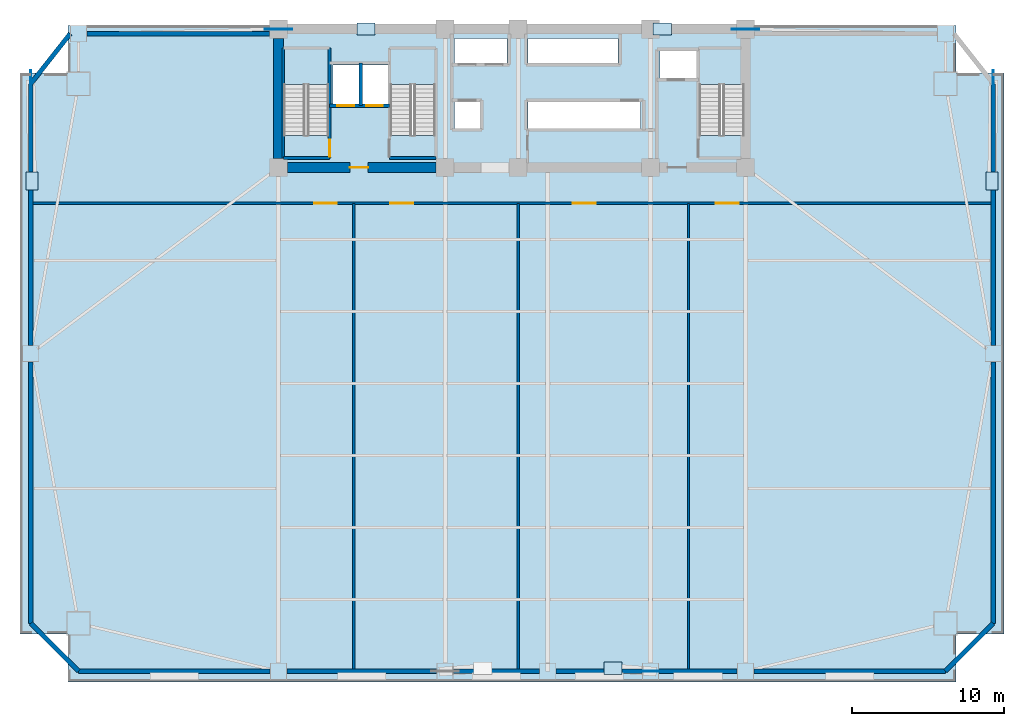
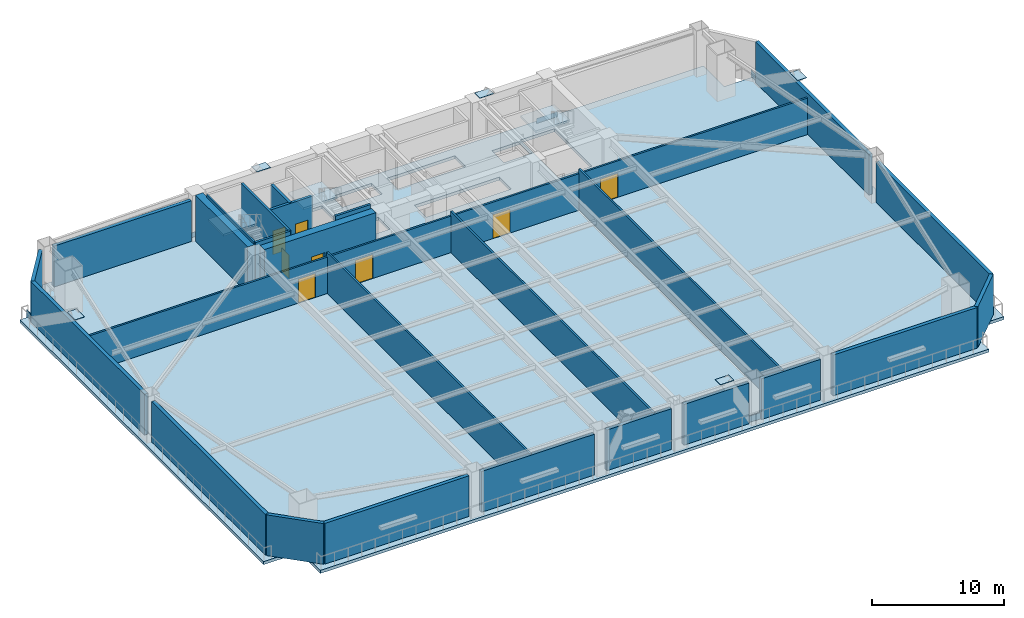
# One storey, part 2 of 9: 26 walls, 10 plates, 8 doors, 4 slabs, 8 openings, 3 elements without a shape of their own.
"""IFC4 building model written with IfcOpenShell, lengths in metres."""

from ifc_helpers import new_model, si_unit, direction, frame, frame_2d, origin, origin_2d, place, context, subcontext, project, spatial, polyline, rectangle, outline, extrude, source, transform, mapped, material, layer, layer_set, type_object, element, fill, aggregate, save


model = new_model("IFC4")

# Units and contexts
model_context = context("Model", 3, precision=1e-05, world=origin(), true_north=direction((0.0, 1.0)))
body_context = subcontext(model_context, "Body", "Model", "MODEL_VIEW")
ifc_project = project(units=[si_unit("LENGTHUNIT", "METRE"), si_unit("AREAUNIT", "SQUARE_METRE"), si_unit("VOLUMEUNIT", "CUBIC_METRE"), si_unit("PLANEANGLEUNIT", "RADIAN"), si_unit("MASSUNIT", "GRAM", prefix="KILO")], contexts=[model_context])

# Site, building, storey
site_placement = place(None, origin())
site = spatial("IfcSite", under=ifc_project, at=site_placement, CompositionType="ELEMENT")
building_placement = place(site_placement, origin())
building = spatial("IfcBuilding", under=site, at=building_placement, Name="Giltprow Tower", CompositionType="ELEMENT")
storey_placement = place(building_placement, frame((0.0, 0.0, 48.800048828125)))
storey = spatial("IfcBuildingStorey", under=building, at=storey_placement, Name="L12", CompositionType="ELEMENT", Elevation=48.800048828125)

# Slab
ifc_material_1 = material(Name="Concrete C40", Category="concrete")
ifc_layer_1 = layer(ifc_material_1, 0.280029296875, Name="Concrete C40")
ifc_layer_set_1 = layer_set([ifc_layer_1], Name="Concrete C40")
slab_type_1 = type_object("IfcSlabType", Name="SLB-REF-280", PredefinedType="FLOOR", material=ifc_layer_set_1)
slab_1_placement = place(storey_placement, frame((0.0, 0.0, -0.280029296875)))
element("IfcSlab", 1, at=slab_1_placement, inside=storey, type_object=slab_type_1, Name="L12 Structural Composite Floor Slab", PredefinedType="FLOOR", context=body_context, shape_type="SweptSolid", body=[
    extrude(outline(polyline([(6.01806640625, 6.802001953125), (2.8701171875, 6.802001953125), (2.8701171875, 43.652099609375), (6.01806640625, 43.652099609375), (6.01806640625, 46.800048828125), (64.382080078125, 46.800048828125), (64.382080078125, 43.652099609375), (67.530029296875, 43.652099609375), (67.530029296875, 6.802001953125), (64.382080078125, 6.802001953125), (64.382080078125, 3.654052734375), (6.01806640625, 3.654052734375), (6.01806640625, 6.802001953125)]), holes=[polyline([(31.419921875, 41.800048828125), (31.419921875, 40.0), (33.10009765625, 40.0), (33.10009765625, 41.800048828125), (31.419921875, 41.800048828125)]), polyline([(43.659912109375, 41.800048828125), (36.239990234375, 41.800048828125), (36.239990234375, 40.0), (43.659912109375, 40.0), (43.659912109375, 41.800048828125)]), polyline([(23.159912109375, 45.25), (20.199951171875, 45.25), (20.199951171875, 39.570068359375), (23.159912109375, 39.570068359375), (23.159912109375, 45.25)]), polyline([(30.159912109375, 39.570068359375), (30.159912109375, 45.25), (27.199951171875, 45.25), (27.199951171875, 39.570068359375), (30.159912109375, 39.570068359375)]), polyline([(50.4599609375, 39.570068359375), (50.4599609375, 45.25), (47.5, 45.25), (47.5, 39.570068359375), (50.4599609375, 39.570068359375)]), polyline([(25.169921875, 44.199951171875), (23.449951171875, 44.199951171875), (23.449951171875, 41.60009765625), (25.169921875, 41.60009765625), (25.169921875, 44.199951171875)]), polyline([(27.10009765625, 44.199951171875), (25.35009765625, 44.199951171875), (25.35009765625, 41.60009765625), (27.10009765625, 41.60009765625), (27.10009765625, 44.199951171875)]), polyline([(47.3798828125, 45.10009765625), (44.919921875, 45.10009765625), (44.919921875, 43.300048828125), (47.3798828125, 43.300048828125), (47.3798828125, 45.10009765625)]), polyline([(34.8798828125, 44.300048828125), (34.8798828125, 45.919921875), (31.419921875, 45.919921875), (31.419921875, 44.300048828125), (34.8798828125, 44.300048828125)]), polyline([(42.169921875, 44.300048828125), (42.169921875, 45.919921875), (36.239990234375, 45.919921875), (36.239990234375, 44.300048828125), (42.169921875, 44.300048828125)])]), origin(), (0.0, 0.0, 1.0), 0.280029296875),
])

# Stair, slab
stair_type_1 = type_object("IfcStairType", Name="STR-ST-1", PredefinedType="HALF_TURN_STAIR", material=ifc_material_1)
stair_1_placement = place(storey_placement, origin())
stair_1 = element("IfcStair", 2, at=stair_1_placement, inside=storey, type_object=stair_type_1, Name="L12 Core Exit Stair ST-1", PredefinedType="HALF_TURN_STAIR")
ifc_layer_2 = layer(ifc_material_1, 0.179931640625, Name="Concrete C40")
ifc_layer_set_2 = layer_set([ifc_layer_2], Name="Concrete C40")
slab_type_2 = type_object("IfcSlabType", Name="SLD-ST-1", PredefinedType="LANDING", material=ifc_layer_set_2)
slab_2_placement = place(storey_placement, frame((0.0, 0.0, 2.070068359375)))
slab_2 = element("IfcSlab", 3, at=slab_2_placement, type_object=slab_type_2, Name="ST-1 landing 1", PredefinedType="LANDING", context=body_context, shape_type="SweptSolid", body=[
    extrude(outline(polyline([(23.159912109375, 42.909912109375), (23.159912109375, 45.25), (20.199951171875, 45.25), (20.199951171875, 42.909912109375), (23.159912109375, 42.909912109375)])), origin(), (0.0, 0.0, 1.0), 0.179931640625),
])
aggregate(stair_1, [slab_2])

stair_type_2 = type_object("IfcStairType", Name="STR-ST-2", PredefinedType="HALF_TURN_STAIR", material=ifc_material_1)
stair_2_placement = place(storey_placement, origin())
stair_2 = element("IfcStair", 4, at=stair_2_placement, inside=storey, type_object=stair_type_2, Name="L12 Core Exit Stair ST-2", PredefinedType="HALF_TURN_STAIR")
ifc_layer_3 = layer(ifc_material_1, 0.18798828125, Name="Concrete C40")
ifc_layer_set_3 = layer_set([ifc_layer_3], Name="Concrete C40")
slab_type_3 = type_object("IfcSlabType", Name="SLD-ST-2", PredefinedType="LANDING", material=ifc_layer_set_3)
slab_3_placement = place(storey_placement, frame((0.0, 0.0, 2.06201171875)))
slab_3 = element("IfcSlab", 5, at=slab_3_placement, type_object=slab_type_3, Name="ST-2 landing 1", PredefinedType="LANDING", context=body_context, shape_type="SweptSolid", body=[
    extrude(outline(polyline([(30.159912109375, 42.909912109375), (30.159912109375, 45.25), (27.199951171875, 45.25), (27.199951171875, 42.909912109375), (30.159912109375, 42.909912109375)])), origin(), (0.0, 0.0, 1.0), 0.18798828125),
])
aggregate(stair_2, [slab_3])

stair_type_3 = type_object("IfcStairType", Name="STR-ST-3", PredefinedType="HALF_TURN_STAIR", material=ifc_material_1)
stair_3_placement = place(storey_placement, origin())
stair_3 = element("IfcStair", 6, at=stair_3_placement, inside=storey, type_object=stair_type_3, Name="L12 Core Exit Stair ST-3", PredefinedType="HALF_TURN_STAIR")
ifc_layer_4 = layer(ifc_material_1, 0.196044921875, Name="Concrete C40")
ifc_layer_set_4 = layer_set([ifc_layer_4], Name="Concrete C40")
slab_type_4 = type_object("IfcSlabType", Name="SLD-ST-3", PredefinedType="LANDING", material=ifc_layer_set_4)
slab_4_placement = place(storey_placement, frame((0.0, 0.0, 2.053955078125)))
slab_4 = element("IfcSlab", 7, at=slab_4_placement, type_object=slab_type_4, Name="ST-3 landing 1", PredefinedType="LANDING", context=body_context, shape_type="SweptSolid", body=[
    extrude(outline(polyline([(50.4599609375, 42.909912109375), (50.4599609375, 45.25), (47.5, 45.25), (47.5, 42.909912109375), (50.4599609375, 42.909912109375)])), origin(), (0.0, 0.0, 1.0), 0.196044921875),
])
aggregate(stair_3, [slab_4])

# Plates
ifc_material_2 = material(Name="Structural steel Q420GJC", Category="steel")
plate_type_1 = type_object("IfcPlateType", Name="PLT-NODE-MBN1", PredefinedType="USERDEFINED", material=ifc_material_2)
shared_shape_1 = source(origin(), body_context, "Body", "SweptSolid", [
    extrude(rectangle(XDim=1.800048828125, YDim=0.050048828125, at=origin_2d()), origin(), (0.0, 0.0, 1.0), 1.14990234375),
])
for number, where, z_axis, x_axis, name in (
    (8, (44.300048828125, 4.35400390625, -0.574951171875), (0.0, 0.0, 1.0), (1.0, 0.0, 0.0), "Mega-Brace Node L12-S-RA"),
    (9, (19.85009765625, 46.550048828125, -0.715087890625), (0.0, 0.0, 1.0), (1.0, 0.0, 0.0), "Mega-Brace Node L12-N-LA"),
    (10, (50.550048828125, 46.550048828125, -0.715087890625), (0.0, 0.0, 1.0), (1.0, 0.0, 0.0), "Mega-Brace Node L12-N-RA"),
    (11, (3.570068359375, 42.951904296875, -0.574951171875), (0.0, 0.0, 1.0), (0.0, 1.0, 0.0), "Mega-Brace Node L12-W-RA"),
    (12, (66.830078125, 42.951904296875, -0.574951171875), (0.0, 0.0, 1.0), (0.0, 1.0, 0.0), "Mega-Brace Node L12-E-RA"),
):
    element("IfcPlate", number, at=place(storey_placement, frame(where, z_axis=z_axis, x_axis=x_axis)), inside=storey, type_object=plate_type_1, Name=name, ObjectType="GUSSET", PredefinedType="USERDEFINED", context=body_context, shape_type="MappedRepresentation", body=[
        mapped(shared_shape_1, transform((0.0, 0.0, 0.0), x_axis=(1.0, 0.0, 0.0), y_axis=(0.0, 1.0, 0.0), z_axis=(0.0, 0.0, 1.0), scale=1.0)),
    ])
plate_type_2 = type_object("IfcPlateType", Name="PLT-CAP-SEAL", PredefinedType="USERDEFINED", material=ifc_material_2)
shared_shape_2 = source(origin(), body_context, "Body", "SweptSolid", [
    extrude(rectangle(XDim=1.199951171875, YDim=0.800048828125, at=origin_2d()), origin(), (0.0, 0.0, 1.0), 0.034912109375),
])
for number, where, z_axis, x_axis, name in (
    (13, (41.830078125, 4.547119140625, 4.482421875), (0.0, 0.0, 1.0), (1.0, 0.0, 0.0), "Mega-Brace Node L12-S-RB"),
    (14, (25.612060546875, 46.550048828125, 4.34228515625), (0.0, 0.0, 1.0), (1.0, 0.0, 0.0), "Mega-Brace Node L12-N-LB"),
    (15, (45.080078125, 46.550048828125, 4.34228515625), (0.0, 0.0, 1.0), (1.0, 0.0, 0.0), "Mega-Brace Node L12-N-RB"),
    (16, (3.656005859375, 36.56396484375, 4.482421875), (0.0, 0.0, 1.0), (0.0, 1.0, 0.0), "Mega-Brace Node L12-W-RB"),
    (17, (66.743896484375, 36.56396484375, 4.482421875), (0.0, 0.0, 1.0), (0.0, 1.0, 0.0), "Mega-Brace Node L12-E-RB"),
):
    element("IfcPlate", number, at=place(storey_placement, frame(where, z_axis=z_axis, x_axis=x_axis)), inside=storey, type_object=plate_type_2, Name=name, ObjectType="SPLICE", PredefinedType="USERDEFINED", context=body_context, shape_type="MappedRepresentation", body=[
        mapped(shared_shape_2, transform((0.0, 0.0, 0.0), x_axis=(1.0, 0.0, 0.0), y_axis=(0.0, 1.0, 0.0), z_axis=(0.0, 0.0, 1.0), scale=1.0)),
    ])

# Walls
ifc_material_3 = material(Name="Precast concrete C40", Category="concrete")
ifc_layer_5 = layer(ifc_material_3, 0.300048828125, Name="Precast concrete C40")
ifc_layer_set_5 = layer_set([ifc_layer_5], Name="Precast concrete C40")
wall_type_1 = type_object("IfcWallType", Name="EW-NOTCH-CHAMFER-300", PredefinedType="SOLIDWALL", material=ifc_layer_set_5)
wall_1_placement = place(storey_placement, frame((3.570068359375, 7.501953125, 0.0), z_axis=(0.0, 0.0, 1.0), x_axis=(0.707106781187, -0.707106781187, 0.0)))
element("IfcWall", 18, at=wall_1_placement, inside=storey, type_object=wall_type_1, Name="L12 Corner Notch Wall SW", PredefinedType="SOLIDWALL", context=body_context, shape_type="SweptSolid", body=[
    extrude(rectangle(XDim=4.451904296875, YDim=0.300048828125, at=frame_2d((2.22607421875, 0.0))), origin(), (0.0, 0.0, 1.0), 3.760009765625),
])
wall_2_placement = place(storey_placement, frame((63.681884765625, 4.35400390625, 0.0), z_axis=(0.0, 0.0, 1.0), x_axis=(0.707134199585, 0.707079361725, 0.0)))
element("IfcWall", 19, at=wall_2_placement, inside=storey, type_object=wall_type_1, Name="L12 Corner Notch Wall SE", PredefinedType="SOLIDWALL", context=body_context, shape_type="SweptSolid", body=[
    extrude(rectangle(XDim=4.4521484375, YDim=0.300048828125, at=frame_2d((2.22607421875, 0.0))), origin(), (0.0, 0.0, 1.0), 3.760009765625),
])
wall_3_placement = place(storey_placement, frame((6.16796875, 46.25, 0.0), z_axis=(0.0, 0.0, 1.0), x_axis=(-0.618784156162, -0.785561053059, 0.0)))
element("IfcWall", 20, at=wall_3_placement, inside=storey, type_object=wall_type_1, Name="L12 Corner Notch Wall NW", PredefinedType="SOLIDWALL", context=body_context, shape_type="SweptSolid", body=[
    extrude(rectangle(XDim=4.198486328125, YDim=0.300048828125, at=frame_2d((2.09912109375, 0.0))), origin(), (0.0, 0.0, 1.0), 3.760009765625),
])
ifc_layer_6 = layer(ifc_material_3, 0.300048828125, Name="Precast concrete C40")
ifc_layer_set_6 = layer_set([ifc_layer_6], Name="Precast concrete C40")
wall_type_2 = type_object("IfcWallType", Name="EW-REF-LOUVRE-300", PredefinedType="SOLIDWALL", material=ifc_layer_set_6)
wall_4_placement = place(storey_placement, frame((6.718017578125, 4.35400390625, 0.0), z_axis=(0.0, 0.0, 1.0), x_axis=(1.0, 0.0, 0.0)))
element("IfcWall", 21, at=wall_4_placement, inside=storey, type_object=wall_type_2, Name="L12 South Expressed Frame Wall 1", PredefinedType="SOLIDWALL", context=body_context, shape_type="SweptSolid", body=[
    extrude(rectangle(XDim=12.58203125, YDim=0.300048828125, at=frame_2d((6.291015625, 0.0))), origin(), (0.0, 0.0, 1.0), 3.760009765625),
])
wall_5_placement = place(storey_placement, frame((20.39990234375, 4.35400390625, 0.0), z_axis=(0.0, 0.0, 1.0), x_axis=(1.0, 0.0, 0.0)))
element("IfcWall", 22, at=wall_5_placement, inside=storey, type_object=wall_type_2, Name="L12 South Expressed Frame Wall 2", PredefinedType="SOLIDWALL", context=body_context, shape_type="SweptSolid", body=[
    extrude(rectangle(XDim=9.85009765625, YDim=0.300048828125, at=frame_2d((4.925048828125, 0.0))), origin(), (0.0, 0.0, 1.0), 3.760009765625),
])
for number, where, z_axis, x_axis, name in (
    (23, (31.35009765625, 4.35400390625, 0.0), (0.0, 0.0, 1.0), (1.0, 0.0, 0.0), "L12 South Expressed Frame Wall 3"),
    (24, (38.10009765625, 4.35400390625, 0.0), (0.0, 0.0, 1.0), (1.0, 0.0, 0.0), "L12 South Expressed Frame Wall 4"),
):
    element("IfcWall", number, at=place(storey_placement, frame(where, z_axis=z_axis, x_axis=x_axis)), inside=storey, type_object=wall_type_2, Name=name, PredefinedType="SOLIDWALL", context=body_context, shape_type="SweptSolid", body=[
        extrude(rectangle(XDim=5.64990234375, YDim=0.300048828125, at=frame_2d((2.824951171875, 0.0))), origin(), (0.0, 0.0, 1.0), 3.760009765625),
    ])
wall_6_placement = place(storey_placement, frame((44.85009765625, 4.35400390625, 0.0), z_axis=(0.0, 0.0, 1.0), x_axis=(1.0, 0.0, 0.0)))
element("IfcWall", 25, at=wall_6_placement, inside=storey, type_object=wall_type_2, Name="L12 South Expressed Frame Wall 5", PredefinedType="SOLIDWALL", context=body_context, shape_type="SweptSolid", body=[
    extrude(rectangle(XDim=5.14990234375, YDim=0.300048828125, at=frame_2d((2.574951171875, 0.0))), origin(), (0.0, 0.0, 1.0), 3.760009765625),
])
wall_7_placement = place(storey_placement, frame((51.10009765625, 4.35400390625, 0.0), z_axis=(0.0, 0.0, 1.0), x_axis=(1.0, 0.0, 0.0)))
element("IfcWall", 26, at=wall_7_placement, inside=storey, type_object=wall_type_2, Name="L12 South Expressed Frame Wall 6", PredefinedType="SOLIDWALL", context=body_context, shape_type="SweptSolid", body=[
    extrude(rectangle(XDim=12.581787109375, YDim=0.300048828125, at=frame_2d((6.291015625, 0.0))), origin(), (0.0, 0.0, 1.0), 3.760009765625),
])
wall_8_placement = place(storey_placement, frame((3.570068359375, 7.501953125, 0.0), z_axis=(0.0, 0.0, 1.0), x_axis=(0.0, 1.0, 0.0)))
element("IfcWall", 27, at=wall_8_placement, inside=storey, type_object=wall_type_2, Name="L12 W Wing Masonry Wall 1", PredefinedType="SOLIDWALL", context=body_context, shape_type="SweptSolid", body=[
    extrude(rectangle(XDim=17.175048828125, YDim=0.300048828125, at=frame_2d((8.58740234375, 0.0))), origin(), (0.0, 0.0, 1.0), 3.760009765625),
])
wall_9_placement = place(storey_placement, frame((3.570068359375, 25.777099609375, 0.0), z_axis=(0.0, 0.0, 1.0), x_axis=(0.0, 1.0, 0.0)))
element("IfcWall", 28, at=wall_9_placement, inside=storey, type_object=wall_type_2, Name="L12 W Wing Masonry Wall 2", PredefinedType="SOLIDWALL", context=body_context, shape_type="SweptSolid", body=[
    extrude(rectangle(XDim=17.1748046875, YDim=0.300048828125, at=frame_2d((8.58740234375, 0.0))), origin(), (0.0, 0.0, 1.0), 3.760009765625),
])
wall_10_placement = place(storey_placement, frame((66.830078125, 7.501953125, 0.0), z_axis=(0.0, 0.0, 1.0), x_axis=(0.0, 1.0, 0.0)))
element("IfcWall", 29, at=wall_10_placement, inside=storey, type_object=wall_type_2, Name="L12 E Wing Masonry Wall 1", PredefinedType="SOLIDWALL", context=body_context, shape_type="SweptSolid", body=[
    extrude(rectangle(XDim=17.175048828125, YDim=0.300048828125, at=frame_2d((8.58740234375, 0.0))), origin(), (0.0, 0.0, 1.0), 3.760009765625),
])
wall_11_placement = place(storey_placement, frame((66.830078125, 25.777099609375, 0.0), z_axis=(0.0, 0.0, 1.0), x_axis=(0.0, 1.0, 0.0)))
element("IfcWall", 30, at=wall_11_placement, inside=storey, type_object=wall_type_2, Name="L12 E Wing Masonry Wall 2", PredefinedType="SOLIDWALL", context=body_context, shape_type="SweptSolid", body=[
    extrude(rectangle(XDim=17.1748046875, YDim=0.300048828125, at=frame_2d((8.58740234375, 0.0))), origin(), (0.0, 0.0, 1.0), 3.760009765625),
])
wall_12_placement = place(storey_placement, frame((7.26806640625, 46.25, 0.0), z_axis=(0.0, 0.0, 1.0), x_axis=(1.0, 0.0, 0.0)))
element("IfcWall", 31, at=wall_12_placement, inside=storey, type_object=wall_type_2, Name="L12 North-West Wing Wall", PredefinedType="SOLIDWALL", context=body_context, shape_type="SweptSolid", body=[
    extrude(rectangle(XDim=11.98193359375, YDim=0.300048828125, at=frame_2d((5.990966796875, 0.0))), origin(), (0.0, 0.0, 1.0), 3.760009765625),
])

# Wall, openings, doors
ifc_material_4 = material(Name="Gypsum stud partition", Category="gypsum")
ifc_layer_7 = layer(ifc_material_4, 0.159912109375, Name="Gypsum stud partition")
ifc_layer_set_7 = layer_set([ifc_layer_7], Name="Gypsum stud partition")
wall_type_3 = type_object("IfcWallType", Name="IW-DEMISE-160", PredefinedType="PARTITIONING", material=ifc_layer_set_7)
wall_13_placement = place(storey_placement, frame((3.570068359375, 35.10009765625, 0.0), z_axis=(0.0, 0.0, 1.0), x_axis=(1.0, 0.0, 0.0)))
wall_13 = element("IfcWall", 32, at=wall_13_placement, inside=storey, type_object=wall_type_3, Name="L12 Refuge and Plant Corridor Wall", PredefinedType="PARTITIONING", context=body_context, shape_type="SweptSolid", body=[
    extrude(rectangle(XDim=63.260009765625, YDim=0.159912109375, at=frame_2d((31.6298828125, 0.0))), origin(), (0.0, 0.0, 1.0), 3.364990234375),
])
opening_1_placement = place(wall_13_placement, frame((18.6298828125, 0.0, 0.0)))
opening_1 = element("IfcOpeningElement", 33, at=opening_1_placement, cuts=wall_13, Name="Opening ID25", PredefinedType="OPENING", context=body_context, shape_type="SweptSolid", body=[
    extrude(rectangle(XDim=1.5, YDim=2.199951171875, at=frame_2d((0.75, 1.10009765625))), frame((0.0, 0.08984375, 0.0), z_axis=(0.0, -1.0, 0.0), x_axis=(1.0, 0.0, 0.0)), (0.0, 0.0, 1.0), 0.179931640625),
])
opening_2_placement = place(wall_13_placement, frame((23.6298828125, 0.0, 0.0)))
opening_2 = element("IfcOpeningElement", 34, at=opening_2_placement, cuts=wall_13, Name="Opening ID25", PredefinedType="OPENING", context=body_context, shape_type="SweptSolid", body=[
    extrude(rectangle(XDim=1.5, YDim=2.199951171875, at=frame_2d((0.75, 1.10009765625))), frame((0.0, 0.08984375, 0.0), z_axis=(0.0, -1.0, 0.0), x_axis=(1.0, 0.0, 0.0)), (0.0, 0.0, 1.0), 0.179931640625),
])
opening_3_placement = place(wall_13_placement, frame((35.6298828125, 0.0, 0.0)))
opening_3 = element("IfcOpeningElement", 35, at=opening_3_placement, cuts=wall_13, Name="Opening ID25", PredefinedType="OPENING", context=body_context, shape_type="SweptSolid", body=[
    extrude(rectangle(XDim=1.5, YDim=2.199951171875, at=frame_2d((0.75, 1.10009765625))), frame((0.0, 0.08984375, 0.0), z_axis=(0.0, -1.0, 0.0), x_axis=(1.0, 0.0, 0.0)), (0.0, 0.0, 1.0), 0.179931640625),
])
opening_4_placement = place(wall_13_placement, frame((45.030029296875, 0.0, 0.0)))
opening_4 = element("IfcOpeningElement", 36, at=opening_4_placement, cuts=wall_13, Name="Opening ID25", PredefinedType="OPENING", context=body_context, shape_type="SweptSolid", body=[
    extrude(rectangle(XDim=1.5, YDim=2.199951171875, at=frame_2d((0.75, 1.10009765625))), frame((0.0, 0.08984375, 0.0), z_axis=(0.0, -1.0, 0.0), x_axis=(1.0, 0.0, 0.0)), (0.0, 0.0, 1.0), 0.179931640625),
])
ifc_material_5 = material(Name="Steel fire leaf", Category="steel")
door_type_1 = type_object("IfcDoorType", Name="DR-PLANT-1500", OperationType="DOUBLE_SWING_LEFT", PredefinedType="DOOR", material=ifc_material_5)
shared_shape_3 = source(origin(), body_context, "Body", "SweptSolid", [
    extrude(rectangle(XDim=1.5, YDim=2.199951171875, at=frame_2d((0.75, 1.10009765625))), frame((0.0, 0.02490234375, 0.0), z_axis=(0.0, -1.0, 0.0), x_axis=(1.0, 0.0, 0.0)), (0.0, 0.0, 1.0), 0.050048828125),
])
door_1_placement = place(opening_1_placement, origin())
door_1 = element("IfcDoor", 37, at=door_1_placement, inside=storey, type_object=door_type_1, Name="L12 Pressurized Fire Refuge Holding Area West Door", OperationType="DOUBLE_SWING_LEFT", OverallHeight=2.199951171875, OverallWidth=1.5, PredefinedType="DOOR", context=body_context, shape_type="MappedRepresentation", body=[
    mapped(shared_shape_3, transform((0.0, 0.0, 0.0), x_axis=(1.0, 0.0, 0.0), y_axis=(0.0, 1.0, 0.0), z_axis=(0.0, 0.0, 1.0), scale=1.0)),
])
fill(opening_1, door_1)
door_2_placement = place(opening_2_placement, origin())
door_2 = element("IfcDoor", 38, at=door_2_placement, inside=storey, type_object=door_type_1, Name="L12 Zone Air Handling and Smoke Dampers Plant Door", OperationType="DOUBLE_SWING_LEFT", OverallHeight=2.199951171875, OverallWidth=1.5, PredefinedType="DOOR", context=body_context, shape_type="MappedRepresentation", body=[
    mapped(shared_shape_3, transform((0.0, 0.0, 0.0), x_axis=(1.0, 0.0, 0.0), y_axis=(0.0, 1.0, 0.0), z_axis=(0.0, 0.0, 1.0), scale=1.0)),
])
fill(opening_2, door_2)
door_3_placement = place(opening_3_placement, origin())
door_3 = element("IfcDoor", 39, at=door_3_placement, inside=storey, type_object=door_type_1, Name="L12 High-Zone Heat Exchanger and Pump Plant Door", OperationType="DOUBLE_SWING_LEFT", OverallHeight=2.199951171875, OverallWidth=1.5, PredefinedType="DOOR", context=body_context, shape_type="MappedRepresentation", body=[
    mapped(shared_shape_3, transform((0.0, 0.0, 0.0), x_axis=(1.0, 0.0, 0.0), y_axis=(0.0, 1.0, 0.0), z_axis=(0.0, 0.0, 1.0), scale=1.0)),
])
fill(opening_3, door_3)
door_4_placement = place(opening_4_placement, origin())
door_4 = element("IfcDoor", 40, at=door_4_placement, inside=storey, type_object=door_type_1, Name="L12 Pressurized Fire Refuge Holding Area East Door", OperationType="DOUBLE_SWING_LEFT", OverallHeight=2.199951171875, OverallWidth=1.5, PredefinedType="DOOR", context=body_context, shape_type="MappedRepresentation", body=[
    mapped(shared_shape_3, transform((0.0, 0.0, 0.0), x_axis=(1.0, 0.0, 0.0), y_axis=(0.0, 1.0, 0.0), z_axis=(0.0, 0.0, 1.0), scale=1.0)),
])
fill(opening_4, door_4)

# Walls
for number, where, z_axis, x_axis, name in (
    (41, (24.800048828125, 4.35400390625, 0.0), (0.0, 0.0, 1.0), (0.0, 1.0, 0.0), "L12 Refuge Compartment Wall 1"),
    (42, (35.60009765625, 4.35400390625, 0.0), (0.0, 0.0, 1.0), (0.0, 1.0, 0.0), "L12 Refuge Compartment Wall 2"),
    (43, (46.800048828125, 4.35400390625, 0.0), (0.0, 0.0, 1.0), (0.0, 1.0, 0.0), "L12 Refuge Compartment Wall 3"),
):
    element("IfcWall", number, at=place(storey_placement, frame(where, z_axis=z_axis, x_axis=x_axis)), inside=storey, type_object=wall_type_3, Name=name, PredefinedType="PARTITIONING", context=body_context, shape_type="SweptSolid", body=[
        extrude(rectangle(XDim=30.74609375, YDim=0.159912109375, at=frame_2d((15.373046875, 0.0))), origin(), (0.0, 0.0, 1.0), 3.764892578125),
    ])

# Wall, openings, doors
ifc_layer_8 = layer(ifc_material_1, 0.219970703125, Name="Concrete C40")
ifc_layer_set_8 = layer_set([ifc_layer_8], Name="Concrete C40")
wall_type_4 = type_object("IfcWallType", Name="IW-SHAFT-220", PredefinedType="SOLIDWALL", material=ifc_layer_set_8)
wall_14_placement = place(storey_placement, frame((23.219970703125, 41.52001953125, 0.0), z_axis=(0.0, 0.0, 1.0), x_axis=(1.0, 0.0, 0.0)))
wall_14 = element("IfcWall", 44, at=wall_14_placement, inside=storey, type_object=wall_type_4, Name="L12 FFL1 and Service Lift Front Wall", PredefinedType="SOLIDWALL", context=body_context, shape_type="SweptSolid", body=[
    extrude(rectangle(XDim=3.919921875, YDim=0.219970703125, at=frame_2d((1.9599609375, 0.0))), origin(), (0.0, 0.0, 1.0), 4.280029296875),
])
opening_5_placement = place(wall_14_placement, frame((0.5, 0.0, 0.0)))
opening_5 = element("IfcOpeningElement", 45, at=opening_5_placement, cuts=wall_14, Name="Opening LD-11", PredefinedType="OPENING", context=body_context, shape_type="SweptSolid", body=[
    extrude(rectangle(XDim=1.10009765625, YDim=2.199951171875, at=frame_2d((0.550048828125, 1.10009765625))), frame((0.0, 0.119873046875, 0.0), z_axis=(0.0, -1.0, 0.0), x_axis=(1.0, 0.0, 0.0)), (0.0, 0.0, 1.0), 0.239990234375),
])
opening_6_placement = place(wall_14_placement, frame((2.39990234375, 0.0, 0.0)))
opening_6 = element("IfcOpeningElement", 46, at=opening_6_placement, cuts=wall_14, Name="Opening LD-11", PredefinedType="OPENING", context=body_context, shape_type="SweptSolid", body=[
    extrude(rectangle(XDim=1.10009765625, YDim=2.199951171875, at=frame_2d((0.550048828125, 1.10009765625))), frame((0.0, 0.119873046875, 0.0), z_axis=(0.0, -1.0, 0.0), x_axis=(1.0, 0.0, 0.0)), (0.0, 0.0, 1.0), 0.239990234375),
])
ifc_material_6 = material(Name="Stainless steel", Category="steel")
door_type_2 = type_object("IfcDoorType", Name="DR-LIFT-LD1100", OperationType="SLIDING_TO_LEFT", PredefinedType="DOOR", material=ifc_material_6)
shared_shape_4 = source(origin(), body_context, "Body", "SweptSolid", [
    extrude(rectangle(XDim=1.10009765625, YDim=2.199951171875, at=frame_2d((0.550048828125, 1.10009765625))), frame((0.0, 0.02490234375, 0.0), z_axis=(0.0, -1.0, 0.0), x_axis=(1.0, 0.0, 0.0)), (0.0, 0.0, 1.0), 0.050048828125),
])
door_5_placement = place(opening_5_placement, origin())
door_5 = element("IfcDoor", 47, at=door_5_placement, inside=storey, type_object=door_type_2, Name="L12 FFL1 Landing Door", OperationType="SLIDING_TO_LEFT", OverallHeight=2.199951171875, OverallWidth=1.10009765625, PredefinedType="DOOR", context=body_context, shape_type="MappedRepresentation", body=[
    mapped(shared_shape_4, transform((0.0, 0.0, 0.0), x_axis=(1.0, 0.0, 0.0), y_axis=(0.0, 1.0, 0.0), z_axis=(0.0, 0.0, 1.0), scale=1.0)),
])
fill(opening_5, door_5)
door_6_placement = place(opening_6_placement, origin())
door_6 = element("IfcDoor", 48, at=door_6_placement, inside=storey, type_object=door_type_2, Name="L12 SVL1 Landing Door", OperationType="SLIDING_TO_LEFT", OverallHeight=2.199951171875, OverallWidth=1.10009765625, PredefinedType="DOOR", context=body_context, shape_type="MappedRepresentation", body=[
    mapped(shared_shape_4, transform((0.0, 0.0, 0.0), x_axis=(1.0, 0.0, 0.0), y_axis=(0.0, 1.0, 0.0), z_axis=(0.0, 0.0, 1.0), scale=1.0)),
])
fill(opening_6, door_6)

# Walls
wall_15_placement = place(storey_placement, frame((25.260009765625, 41.52001953125, 0.0), z_axis=(0.0, 0.0, 1.0), x_axis=(0.0, 1.0, 0.0)))
element("IfcWall", 49, at=wall_15_placement, inside=storey, type_object=wall_type_4, Name="L12 FFL1-SVL1 Shaft Divider", PredefinedType="SOLIDWALL", context=body_context, shape_type="SweptSolid", body=[
    extrude(rectangle(XDim=2.800048828125, YDim=0.219970703125, at=frame_2d((1.39990234375, 0.0))), origin(), (0.0, 0.0, 1.0), 4.280029296875),
])
ifc_material_7 = material(Name="Concrete C45", Category="concrete")
ifc_layer_9 = layer(ifc_material_7, 0.139892578125, Name="Concrete C45")
ifc_layer_set_9 = layer_set([ifc_layer_9], Name="Concrete C45")
wall_type_5 = type_object("IfcWallType", Name="IW-STAIR-140", PredefinedType="SOLIDWALL", material=ifc_layer_set_9)
wall_16_placement = place(storey_placement, frame((20.169921875, 38.070068359375, 0.0), z_axis=(0.0, 0.0, 1.0), x_axis=(0.0, 1.0, 0.0)))
element("IfcWall", 50, at=wall_16_placement, inside=storey, type_object=wall_type_5, Name="L12 Stair ST-1 West Bearing Wall", PredefinedType="SOLIDWALL", context=body_context, shape_type="SweptSolid", body=[
    extrude(rectangle(XDim=7.25, YDim=0.139892578125, at=frame_2d((3.625, 0.0))), origin(), (0.0, 0.0, 1.0), 4.5),
])

# Wall, opening, door
ifc_layer_10 = layer(ifc_material_1, 0.199951171875, Name="Concrete C40")
ifc_layer_set_10 = layer_set([ifc_layer_10], Name="Concrete C40")
wall_type_6 = type_object("IfcWallType", Name="IW-STAIR-200", PredefinedType="SOLIDWALL", material=ifc_layer_set_10)
wall_17_placement = place(storey_placement, frame((23.219970703125, 38.070068359375, 0.0), z_axis=(0.0, 0.0, 1.0), x_axis=(0.0, 1.0, 0.0)))
wall_17 = element("IfcWall", 51, at=wall_17_placement, inside=storey, type_object=wall_type_6, Name="L12 Stair ST-1 East Bearing Wall", PredefinedType="SOLIDWALL", context=body_context, shape_type="SweptSolid", body=[
    extrude(rectangle(XDim=7.25, YDim=0.199951171875, at=frame_2d((3.625, 0.0))), origin(), (0.0, 0.0, 1.0), 4.5),
])
opening_7_placement = place(wall_17_placement, frame((0.110107421875, 0.0, 0.0)))
opening_7 = element("IfcOpeningElement", 52, at=opening_7_placement, cuts=wall_17, Name="Opening ID33", PredefinedType="OPENING", context=body_context, shape_type="SweptSolid", body=[
    extrude(rectangle(XDim=1.10009765625, YDim=2.14990234375, at=frame_2d((0.550048828125, 1.074951171875))), frame((0.0, 0.10986328125, 0.0), z_axis=(0.0, -1.0, 0.0), x_axis=(1.0, 0.0, 0.0)), (0.0, 0.0, 1.0), 0.219970703125),
])
door_type_3 = type_object("IfcDoorType", Name="DR-STAIR-1100", OperationType="SINGLE_SWING_LEFT", PredefinedType="DOOR", material=ifc_material_5)
shared_shape_5 = source(origin(), body_context, "Body", "SweptSolid", [
    extrude(rectangle(XDim=1.10009765625, YDim=2.14990234375, at=frame_2d((0.550048828125, 1.074951171875))), frame((0.0, 0.02490234375, 0.0), z_axis=(0.0, -1.0, 0.0), x_axis=(1.0, 0.0, 0.0)), (0.0, 0.0, 1.0), 0.050048828125),
])
door_7_placement = place(opening_7_placement, origin())
door_7 = element("IfcDoor", 53, at=door_7_placement, inside=storey, type_object=door_type_3, Name="L12 Stair ST-1 Fire Door", OperationType="SINGLE_SWING_RIGHT", OverallHeight=2.14990234375, OverallWidth=1.10009765625, PredefinedType="DOOR", context=body_context, shape_type="MappedRepresentation", body=[
    mapped(shared_shape_5, transform((0.0, 0.0, 0.0), x_axis=(1.0, 0.0, 0.0), y_axis=(0.0, 1.0, 0.0), z_axis=(0.0, 0.0, 1.0), scale=1.0)),
])
fill(opening_7, door_7)

# Walls
wall_18_placement = place(storey_placement, frame((20.169921875, 38.070068359375, 0.0), z_axis=(0.0, 0.0, 1.0), x_axis=(1.0, 0.0, 0.0)))
element("IfcWall", 54, at=wall_18_placement, inside=storey, type_object=wall_type_6, Name="L12 Stair ST-1 South Bearing Wall", PredefinedType="SOLIDWALL", context=body_context, shape_type="SweptSolid", body=[
    extrude(rectangle(XDim=3.050048828125, YDim=0.199951171875, at=frame_2d((1.52490234375, 0.0))), origin(), (0.0, 0.0, 1.0), 4.5),
])
wall_19_placement = place(storey_placement, frame((27.139892578125, 38.070068359375, 0.0), z_axis=(0.0, 0.0, 1.0), x_axis=(1.0, 0.0, 0.0)))
element("IfcWall", 55, at=wall_19_placement, inside=storey, type_object=wall_type_6, Name="L12 Stair ST-2 South Bearing Wall", PredefinedType="SOLIDWALL", context=body_context, shape_type="SweptSolid", body=[
    extrude(rectangle(XDim=3.080078125, YDim=0.199951171875, at=frame_2d((1.5400390625, 0.0))), origin(), (0.0, 0.0, 1.0), 4.5),
])

# Wall, opening, door
ifc_material_8 = material(Name="Concrete C60", Category="concrete")
ifc_layer_11 = layer(ifc_material_8, 0.64990234375, Name="Concrete C60")
ifc_layer_set_11 = layer_set([ifc_layer_11], Name="Concrete C60")
wall_type_7 = type_object("IfcWallType", Name="SW-INT-650-C60", PredefinedType="SHEAR", material=ifc_layer_set_11)
wall_20_placement = place(storey_placement, frame((20.449951171875, 37.449951171875, 0.0), z_axis=(0.0, 0.0, 1.0), x_axis=(1.0, 0.0, 0.0)))
wall_20 = element("IfcWall", 56, at=wall_20_placement, inside=storey, type_object=wall_type_7, Name="L12 South Rear Core Shear Wall West", PredefinedType="SHEAR", context=body_context, shape_type="SweptSolid", body=[
    extrude(rectangle(XDim=9.75, YDim=0.64990234375, at=frame_2d((4.875, 0.0))), origin(), (0.0, 0.0, 1.0), 4.280029296875),
])
opening_8_placement = place(wall_20_placement, frame((4.10009765625, 0.0, 0.0)))
opening_8 = element("IfcOpeningElement", 57, at=opening_8_placement, cuts=wall_20, Name="Opening ID19", PredefinedType="OPENING", context=body_context, shape_type="SweptSolid", body=[
    extrude(rectangle(XDim=1.199951171875, YDim=2.14990234375, at=frame_2d((0.60009765625, 1.074951171875))), frame((0.0, 0.3349609375, 0.0), z_axis=(0.0, -1.0, 0.0), x_axis=(1.0, 0.0, 0.0)), (0.0, 0.0, 1.0), 0.669921875),
])
door_type_4 = type_object("IfcDoorType", Name="DR-FFLOBBY-1200", OperationType="SINGLE_SWING_RIGHT", PredefinedType="DOOR", material=ifc_material_5)
shared_shape_6 = source(origin(), body_context, "Body", "SweptSolid", [
    extrude(rectangle(XDim=1.199951171875, YDim=2.14990234375, at=frame_2d((0.60009765625, 1.074951171875))), frame((0.0, 0.02490234375, 0.0), z_axis=(0.0, -1.0, 0.0), x_axis=(1.0, 0.0, 0.0)), (0.0, 0.0, 1.0), 0.050048828125),
])
door_8_placement = place(opening_8_placement, origin())
door_8 = element("IfcDoor", 58, at=door_8_placement, inside=storey, type_object=door_type_4, Name="L12 West Firefighting Lobby Entry Door", OperationType="SINGLE_SWING_LEFT", OverallHeight=2.14990234375, OverallWidth=1.199951171875, PredefinedType="DOOR", context=body_context, shape_type="MappedRepresentation", body=[
    mapped(shared_shape_6, transform((0.0, 0.0, 0.0), x_axis=(1.0, 0.0, 0.0), y_axis=(0.0, 1.0, 0.0), z_axis=(0.0, 0.0, 1.0), scale=1.0)),
])
fill(opening_8, door_8)

# Wall
wall_21_placement = place(storey_placement, frame((19.85009765625, 38.050048828125, 0.0), z_axis=(0.0, 0.0, 1.0), x_axis=(0.0, 1.0, 0.0)))
element("IfcWall", 59, at=wall_21_placement, inside=storey, type_object=wall_type_7, Name="L12 W Rear Core Shear Wall", PredefinedType="SHEAR", context=body_context, shape_type="SweptSolid", body=[
    extrude(rectangle(XDim=7.89990234375, YDim=0.64990234375, at=frame_2d((3.949951171875, 0.0))), origin(), (0.0, 0.0, 1.0), 4.280029296875),
])

save(model, "model.ifc")
